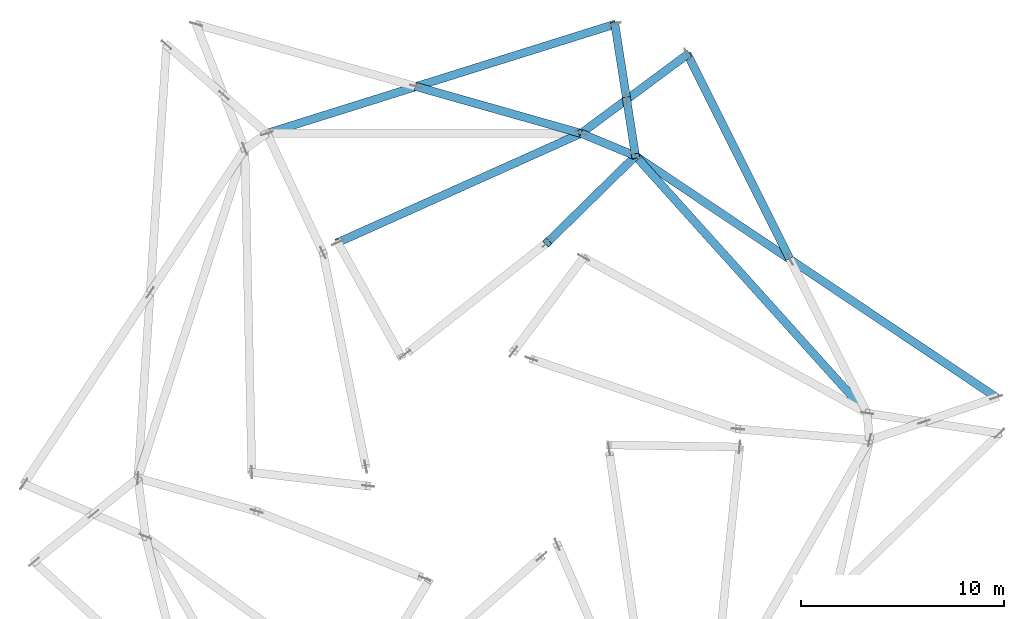
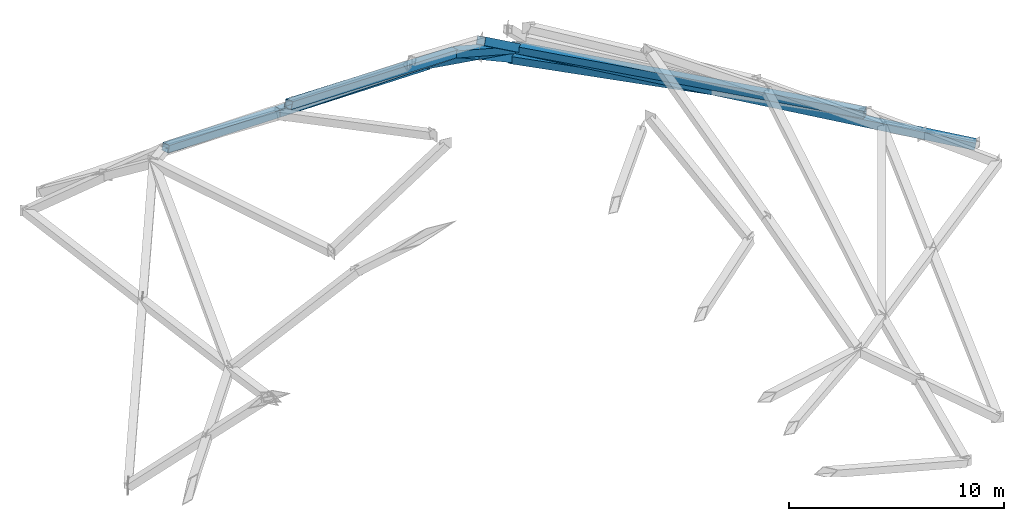
# One storey, part 2 of 6: 9 members, 2 beams.
"""IFC4 building model written with IfcOpenShell, lengths in metres."""

from ifc_helpers import new_model, si_unit, direction, frame, origin, origin_2d, place, context, subcontext, project, spatial, hollow_rectangle, extrude, material, material_profile, profile_set, type_object, element, save


model = new_model("IFC4")

# Units and contexts
model_context = context("Model", 3, precision=1e-05, world=origin(), true_north=direction((0.0, 1.0)))
body_context = subcontext(model_context, "Body", "Model", "MODEL_VIEW")
ifc_project = project(units=[si_unit("LENGTHUNIT", "METRE"), si_unit("AREAUNIT", "SQUARE_METRE"), si_unit("VOLUMEUNIT", "CUBIC_METRE"), si_unit("PLANEANGLEUNIT", "RADIAN"), si_unit("MASSUNIT", "GRAM", prefix="KILO")], contexts=[model_context])

# Site, building, storey
site_placement = place(None, origin())
site = spatial("IfcSite", under=ifc_project, at=site_placement, CompositionType="ELEMENT")
building_placement = place(site_placement, origin())
building = spatial("IfcBuilding", under=site, at=building_placement, Name="Isthmus Gate Tower", CompositionType="ELEMENT")
storey_placement = place(building_placement, frame((0.0, 0.0, 320.10009765625)))
storey = spatial("IfcBuildingStorey", under=building, at=storey_placement, Name="C5", CompositionType="ELEMENT", Elevation=320.10009765625)

# Members
ifc_material_1 = material(Name="Structural steel ASTM A500 Gr C", Category="steel")
ifc_material_profile_1 = material_profile(ifc_material_1, hollow_rectangle(XDim=0.406494140625, YDim=0.406494140625, WallThickness=0.017578125, at=origin_2d()), Name="HSS16X16X3/4")
ifc_profile_set_1 = profile_set([ifc_material_profile_1], Name="Structural steel ASTM A500 Gr C")
member_type = type_object("IfcMemberType", Name="PYRAMID FACET BRACE HSS16X16X3/4", PredefinedType="BRACE", material=ifc_profile_set_1)
member_1_placement = place(storey_placement, frame((6.659912109375, 21.5, -4.5), z_axis=(-0.925557144028, -0.29030054397, 0.243042315882), x_axis=(0.299274071453, -0.95416719193, 0.0)))
element("IfcMember", 1, at=member_1_placement, inside=storey, type_object=member_type, Name="str-crowndiag-C5-000", PredefinedType="BRACE", context=body_context, shape_type="SweptSolid", body=[
    extrude(hollow_rectangle(XDim=0.406494140625, YDim=0.406494140625, WallThickness=0.017578125, at=origin_2d()), origin(), (0.0, 0.0, 1.0), 18.515380859375),
])
member_2_placement = place(storey_placement, frame((25.445068359375, 3.120361328125, -4.5), z_axis=(-0.813286864393, 0.544191412594, 0.205961604832), x_axis=(-0.5561144659, -0.831105709772, 0.0)))
element("IfcMember", 2, at=member_2_placement, inside=storey, type_object=member_type, Name="str-crowndiag-C5-020", PredefinedType="BRACE", context=body_context, shape_type="SweptSolid", body=[
    extrude(hollow_rectangle(XDim=0.406494140625, YDim=0.406494140625, WallThickness=0.017578125, at=origin_2d()), origin(), (0.0, 0.0, 1.0), 21.8486328125),
])
member_3_placement = place(storey_placement, frame((10.234375, 20.013671875, -4.5), z_axis=(0.436561936188, -0.871859269654, 0.221979931054), x_axis=(0.894167648492, 0.447732304386, 0.0)))
element("IfcMember", 3, at=member_3_placement, inside=storey, type_object=member_type, Name="str-crowndiag-C5-021", PredefinedType="BRACE", context=body_context, shape_type="SweptSolid", body=[
    extrude(hollow_rectangle(XDim=0.406494140625, YDim=0.406494140625, WallThickness=0.017578125, at=origin_2d()), origin(), (0.0, 0.0, 1.0), 11.58349609375),
])
member_4_placement = place(storey_placement, frame((10.234375, 20.013671875, -4.5), z_axis=(-0.661021070064, -0.490621789561, 0.567751181892), x_axis=(0.59599327124, -0.802989427475, 0.0)))
element("IfcMember", 4, at=member_4_placement, inside=storey, type_object=member_type, Name="str-crowndiag-C5-022", PredefinedType="BRACE", context=body_context, shape_type="SweptSolid", body=[
    extrude(hollow_rectangle(XDim=0.406494140625, YDim=0.406494140625, WallThickness=0.017578125, at=origin_2d()), origin(), (0.0, 0.0, 1.0), 7.926025390625),
])
member_5_placement = place(storey_placement, frame((6.659912109375, 21.5, -4.5), z_axis=(0.127600007639, -0.815073219529, 0.565131741151), x_axis=(0.987966729476, 0.154666549223, 0.0)))
element("IfcMember", 5, at=member_5_placement, inside=storey, type_object=member_type, Name="str-crowndiag-C5-023", PredefinedType="BRACE", context=body_context, shape_type="SweptSolid", body=[
    extrude(hollow_rectangle(XDim=0.406494140625, YDim=0.406494140625, WallThickness=0.017578125, at=origin_2d()), origin(), (0.0, 0.0, 1.0), 4.5498046875),
])
member_6_placement = place(storey_placement, frame((4.9951171875, 16.125, 0.0), z_axis=(-0.863092706617, -0.387247529578, 0.324207234066), x_axis=(0.409358590475, -0.912373577217, 0.0)))
element("IfcMember", 6, at=member_6_placement, inside=storey, type_object=member_type, Name="str-crowndiag-C5-024", PredefinedType="BRACE", context=body_context, shape_type="SweptSolid", body=[
    extrude(hollow_rectangle(XDim=0.406494140625, YDim=0.406494140625, WallThickness=0.017578125, at=origin_2d()), origin(), (0.0, 0.0, 1.0), 13.880126953125),
])
member_7_placement = place(storey_placement, frame((7.67578125, 15.01025390625, 0.0), z_axis=(-0.574169314293, -0.562879468226, 0.594555550621), x_axis=(0.700051355804, -0.714092500476, 0.0)))
element("IfcMember", 7, at=member_7_placement, inside=storey, type_object=member_type, Name="str-crowndiag-C5-035", PredefinedType="BRACE", context=body_context, shape_type="SweptSolid", body=[
    extrude(hollow_rectangle(XDim=0.406494140625, YDim=0.406494140625, WallThickness=0.017578125, at=origin_2d()), origin(), (0.0, 0.0, 1.0), 7.568603515625),
])
member_8_placement = place(storey_placement, frame((-3.132568359375, 18.428466796875, -1.9287109375), z_axis=(0.937971936359, -0.265830561399, 0.222582028093), x_axis=(0.272670790158, 0.962107395354, 0.0)))
element("IfcMember", 8, at=member_8_placement, inside=storey, type_object=member_type, Name="str-crowndiag-C5-001b", PredefinedType="BRACE", context=body_context, shape_type="SweptSolid", body=[
    extrude(hollow_rectangle(XDim=0.406494140625, YDim=0.406494140625, WallThickness=0.017578125, at=origin_2d()), origin(), (0.0, 0.0, 1.0), 8.665283203125),
])
member_9_placement = place(storey_placement, frame((7.240478515625, 17.79150390625, -1.9287109375), z_axis=(0.127563378773, -0.815031974749, 0.565199490916), x_axis=(0.987972317555, 0.154630849912, 0.0)))
element("IfcMember", 9, at=member_9_placement, inside=storey, type_object=member_type, Name="str-crowndiag-C5-023b", PredefinedType="BRACE", context=body_context, shape_type="SweptSolid", body=[
    extrude(hollow_rectangle(XDim=0.406494140625, YDim=0.406494140625, WallThickness=0.017578125, at=origin_2d()), origin(), (0.0, 0.0, 1.0), 3.412353515625),
])

# Beams
ifc_material_2 = material(Name="Structural steel ASTM A500 Gr C", Category="steel")
ifc_material_profile_2 = material_profile(ifc_material_2, hollow_rectangle(XDim=0.406494140625, YDim=0.406494140625, WallThickness=0.017578125, at=origin_2d()), Name="HSS16X16X3/4")
ifc_profile_set_2 = profile_set([ifc_material_profile_2], Name="Structural steel ASTM A500 Gr C")
beam_type = type_object("IfcBeamType", Name="PYRAMID RING BEAM HSS16X16X3/4", PredefinedType="BEAM", material=ifc_profile_set_2)
beam_1_placement = place(storey_placement, frame((19.083740234375, 2.34033203125, 0.0), z_axis=(-0.669127693829, 0.74314744792, 0.0), x_axis=(-0.74314744792, -0.669127693829, 0.0)))
element("IfcBeam", 10, at=beam_1_placement, inside=storey, type_object=beam_type, Name="str-crownring-C5-10", PredefinedType="BEAM", context=body_context, shape_type="SweptSolid", body=[
    extrude(hollow_rectangle(XDim=0.406494140625, YDim=0.406494140625, WallThickness=0.017578125, at=origin_2d()), origin(), (0.0, 0.0, 1.0), 17.049072265625),
])
beam_2_placement = place(storey_placement, frame((7.67578125, 15.01025390625, 0.0), z_axis=(-0.923345398578, 0.383970408917, 0.0), x_axis=(-0.383970408917, -0.923345398578, 0.0)))
element("IfcBeam", 11, at=beam_2_placement, inside=storey, type_object=beam_type, Name="str-crownring-C5-11", PredefinedType="BEAM", context=body_context, shape_type="SweptSolid", body=[
    extrude(hollow_rectangle(XDim=0.406494140625, YDim=0.406494140625, WallThickness=0.017578125, at=origin_2d()), origin(), (0.0, 0.0, 1.0), 2.9033203125),
])

save(model, "model.ifc")
